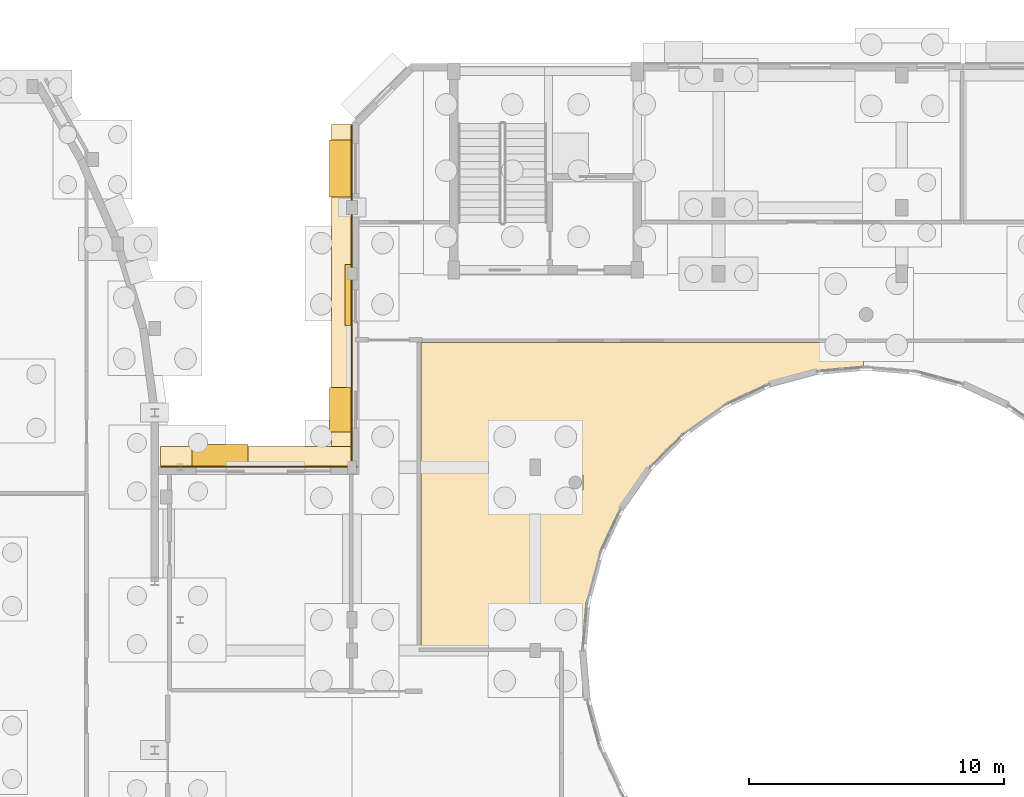
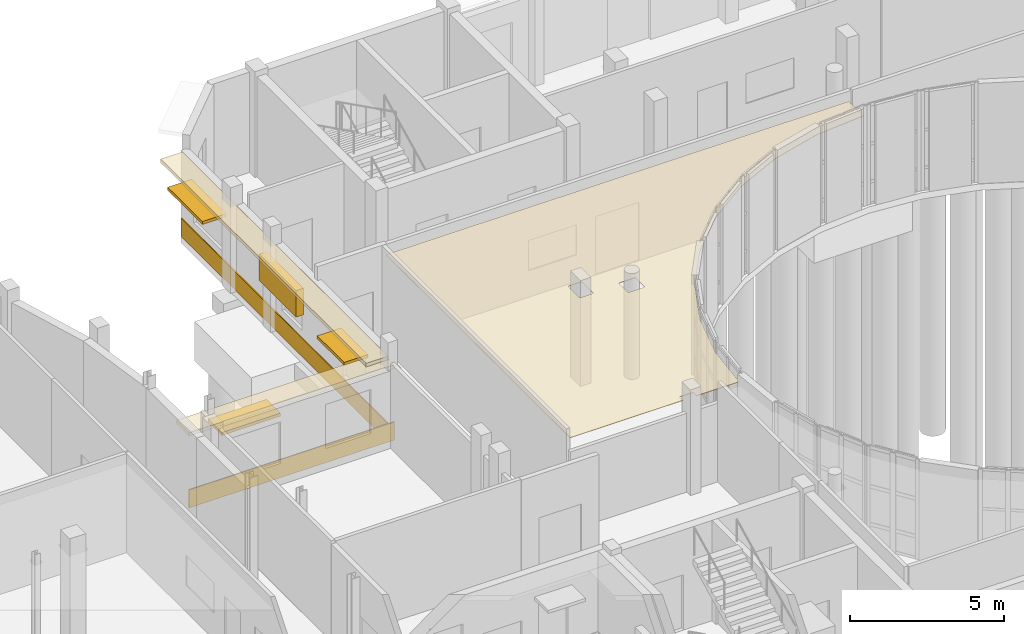
# One storey, part 85 of 93: 5 coverings, 4 shading devices.
"""IFC4 building model written with IfcOpenShell, lengths in metres."""

from ifc_helpers import new_model, si_unit, direction, frame, origin, origin_2d, place, context, subcontext, project, spatial, polyline, rectangle, outline, extrude, material, layer, layer_set, type_object, element, save


model = new_model("IFC4")

# Units and contexts
model_context = context("Model", 3, precision=1e-05, world=origin(), true_north=direction((0.0, 1.0)))
body_context = subcontext(model_context, "Body", "Model", "MODEL_VIEW")
ifc_project = project(units=[si_unit("LENGTHUNIT", "METRE"), si_unit("AREAUNIT", "SQUARE_METRE"), si_unit("VOLUMEUNIT", "CUBIC_METRE"), si_unit("PLANEANGLEUNIT", "RADIAN"), si_unit("MASSUNIT", "GRAM", prefix="KILO")], contexts=[model_context])

# Site, building, storey
site_placement = place(None, origin())
site = spatial("IfcSite", under=ifc_project, at=site_placement, CompositionType="ELEMENT")
building_placement = place(site_placement, origin())
building = spatial("IfcBuilding", under=site, at=building_placement, Name="Kelanivale Promenade Academy", CompositionType="ELEMENT")
storey_placement = place(building_placement, origin())
storey = spatial("IfcBuildingStorey", under=building, at=storey_placement, Name="L00", CompositionType="ELEMENT", Elevation=0.0)

# Coverings
ifc_material_1 = material(Name="Warm ivory Art Deco stucco frieze band 40 mm", Category="masonry")
ifc_layer_1 = layer(ifc_material_1, 0.0400390625)
ifc_layer_set_1 = layer_set([ifc_layer_1], Name="Warm ivory Art Deco stucco frieze band 40 mm")
covering_type_1 = type_object("IfcCoveringType", Name="COV-CLD2 Warm ivory Art Deco stucco frieze ba", PredefinedType="CLADDING", material=ifc_layer_set_1)
covering_1_placement = place(storey_placement, frame((42.800048828125, 70.76904296875, 3.26513671875), z_axis=(0.0, 0.0, 1.0), x_axis=(0.0, -1.0, 0.0)))
element("IfcCovering", 1, at=covering_1_placement, inside=storey, type_object=covering_type_1, Name="Art Deco projecting 820 mm streamline sunshade eyebrow ledge", PredefinedType="CLADDING", context=body_context, shape_type="SweptSolid", body=[
    extrude(rectangle(XDim=13.3779296875, YDim=0.820068359375, at=origin_2d()), origin(), (0.0, 0.0, 1.0), 0.139892578125),
])
covering_2_placement = place(storey_placement, frame((43.18505859375, 70.76904296875, 0.06005859375), z_axis=(0.0, 0.0, 1.0), x_axis=(0.0, -1.0, 0.0)))
element("IfcCovering", 2, at=covering_2_placement, inside=storey, type_object=covering_type_1, Name="Art Deco ivory stucco sill frieze band", PredefinedType="CLADDING", context=body_context, shape_type="SweptSolid", body=[
    extrude(rectangle(XDim=13.3779296875, YDim=0.0400390625, at=origin_2d()), origin(), (0.0, 0.0, 1.0), 0.719970703125),
])
covering_3_placement = place(storey_placement, frame((39.5400390625, 64.39990234375, 2.9150390625), z_axis=(0.0, 0.0, 1.0), x_axis=(-1.0, 0.0, 0.0)))
element("IfcCovering", 3, at=covering_3_placement, inside=storey, type_object=covering_type_1, Name="Art Deco projecting 820 mm streamline sunshade eyebrow ledge", PredefinedType="CLADDING", context=body_context, shape_type="SweptSolid", body=[
    extrude(rectangle(XDim=7.719970703125, YDim=0.820068359375, at=origin_2d()), origin(), (0.0, 0.0, 1.0), 0.139892578125),
])
covering_4_placement = place(storey_placement, frame((39.5400390625, 64.014892578125, 0.06005859375), z_axis=(0.0, 0.0, 1.0), x_axis=(-1.0, 0.0, 0.0)))
element("IfcCovering", 4, at=covering_4_placement, inside=storey, type_object=covering_type_1, Name="Art Deco ivory stucco sill frieze band", PredefinedType="CLADDING", context=body_context, shape_type="SweptSolid", body=[
    extrude(rectangle(XDim=7.719970703125, YDim=0.0400390625, at=origin_2d()), origin(), (0.0, 0.0, 1.0), 0.719970703125),
])
ifc_material_2 = material(Name="Acoustic mineral-fibre ceiling tile 25 mm", Category="gypsum")
ifc_layer_2 = layer(ifc_material_2, 0.02490234375)
ifc_layer_set_2 = layer_set([ifc_layer_2], Name="Acoustic mineral-fibre ceiling tile 25 mm")
covering_type_2 = type_object("IfcCoveringType", Name="COV-CLG1 Acoustic mineral-fibre ceiling tile ", PredefinedType="CEILING", material=ifc_layer_set_2)
covering_5_placement = place(storey_placement, frame((0.0, 0.0, 3.550048828125)))
element("IfcCovering", 5, at=covering_5_placement, inside=storey, type_object=covering_type_2, Name="Junior Classroom West B acoustic suspended ceiling", PredefinedType="CEILING", context=body_context, shape_type="SweptSolid", body=[
    extrude(outline(polyline([(45.909912109375, 56.909912109375), (50.139892578125, 56.909912109375), (50.139892578125, 57.094970703125), (50.139892578125, 57.09912109375), (50.14111328125, 57.10302734375), (50.14208984375, 57.10693359375), (50.14306640625, 57.110107421875), (50.14501953125, 57.114013671875), (50.14697265625, 57.116943359375), (50.14892578125, 57.1201171875), (50.152099609375, 57.123046875), (50.155029296875, 57.1259765625), (50.157958984375, 57.1279296875), (50.160888671875, 57.1298828125), (50.1650390625, 57.132080078125), (50.16796875, 57.133056640625), (50.172119140625, 57.134033203125), (50.176025390625, 57.135009765625), (50.179931640625, 57.135009765625), (50.6201171875, 57.135009765625), (50.6240234375, 57.135009765625), (50.6279296875, 57.134033203125), (50.632080078125, 57.133056640625), (50.635009765625, 57.132080078125), (50.638916015625, 57.1298828125), (50.64208984375, 57.1279296875), (50.64501953125, 57.1259765625), (50.64794921875, 57.123046875), (50.65087890625, 57.1201171875), (50.653076171875, 57.116943359375), (50.655029296875, 57.114013671875), (50.656982421875, 57.110107421875), (50.657958984375, 57.10693359375), (50.658935546875, 57.10302734375), (50.659912109375, 57.09912109375), (50.659912109375, 57.094970703125), (50.659912109375, 56.909912109375), (52.259033203125, 56.909912109375), (52.4169921875, 58.718994140625), (52.4169921875, 58.719970703125), (52.41796875, 58.72998046875), (52.419921875, 58.738037109375), (52.4208984375, 58.7451171875), (52.424072265625, 58.75390625), (52.9169921875, 60.596923828125), (52.9169921875, 60.59912109375), (52.919921875, 60.60888671875), (52.923095703125, 60.615966796875), (52.927001953125, 60.6259765625), (52.928955078125, 60.6298828125), (53.737060546875, 62.360107421875), (53.739013671875, 62.364990234375), (53.7490234375, 62.383056640625), (53.7529296875, 62.389892578125), (54.847900390625, 63.9541015625), (54.85400390625, 63.9609375), (54.861083984375, 63.968994140625), (54.867919921875, 63.97705078125), (54.87109375, 63.98095703125), (56.218994140625, 65.3291015625), (56.222900390625, 65.33203125), (56.23095703125, 65.339111328125), (56.239013671875, 65.345947265625), (56.24609375, 65.35205078125), (57.81005859375, 66.447021484375), (57.81689453125, 66.450927734375), (57.825927734375, 66.4560546875), (57.8349609375, 66.4609375), (57.840087890625, 66.462890625), (59.570068359375, 67.27099609375), (59.573974609375, 67.27294921875), (59.583984375, 67.277099609375), (59.591064453125, 67.280029296875), (59.60107421875, 67.282958984375), (59.60302734375, 67.282958984375), (61.446044921875, 67.77587890625), (61.455078125, 67.779052734375), (61.4619140625, 67.780029296875), (61.469970703125, 67.781982421875), (61.47998046875, 67.782958984375), (61.48095703125, 67.782958984375), (63.2900390625, 67.94091796875), (63.2900390625, 68.889892578125), (45.909912109375, 68.889892578125), (45.909912109375, 56.909912109375)]), holes=[polyline([(52.278076171875, 63.1298828125), (52.278076171875, 63.1259765625), (52.277099609375, 63.1220703125), (52.27587890625, 63.117919921875), (52.27490234375, 63.114990234375), (52.27294921875, 63.111083984375), (52.27099609375, 63.10791015625), (52.26904296875, 63.10498046875), (52.26611328125, 63.10205078125), (52.262939453125, 63.09912109375), (52.260009765625, 63.096923828125), (52.257080078125, 63.094970703125), (52.2529296875, 63.093017578125), (52.25, 63.092041015625), (52.24609375, 63.091064453125), (52.241943359375, 63.090087890625), (52.238037109375, 63.090087890625), (51.697998046875, 63.090087890625), (51.694091796875, 63.090087890625), (51.68994140625, 63.091064453125), (51.68603515625, 63.092041015625), (51.68310546875, 63.093017578125), (51.678955078125, 63.094970703125), (51.676025390625, 63.096923828125), (51.673095703125, 63.09912109375), (51.669921875, 63.10205078125), (51.6669921875, 63.10498046875), (51.6650390625, 63.10791015625), (51.6630859375, 63.111083984375), (51.660888671875, 63.114990234375), (51.659912109375, 63.117919921875), (51.658935546875, 63.1220703125), (51.657958984375, 63.1259765625), (51.657958984375, 63.1298828125), (51.657958984375, 63.669921875), (51.657958984375, 63.674072265625), (51.658935546875, 63.677978515625), (51.659912109375, 63.681884765625), (51.660888671875, 63.68505859375), (51.6630859375, 63.68896484375), (51.6650390625, 63.69189453125), (51.6669921875, 63.695068359375), (51.669921875, 63.697998046875), (51.673095703125, 63.700927734375), (51.676025390625, 63.702880859375), (51.678955078125, 63.705078125), (51.68310546875, 63.70703125), (51.68603515625, 63.7080078125), (51.68994140625, 63.708984375), (51.694091796875, 63.7099609375), (51.697998046875, 63.7099609375), (52.238037109375, 63.7099609375), (52.241943359375, 63.7099609375), (52.24609375, 63.708984375), (52.25, 63.7080078125), (52.2529296875, 63.70703125), (52.257080078125, 63.705078125), (52.260009765625, 63.702880859375), (52.262939453125, 63.700927734375), (52.26611328125, 63.697998046875), (52.26904296875, 63.695068359375), (52.27099609375, 63.69189453125), (52.27294921875, 63.68896484375), (52.27490234375, 63.68505859375), (52.27587890625, 63.681884765625), (52.277099609375, 63.677978515625), (52.278076171875, 63.674072265625), (52.278076171875, 63.669921875), (52.278076171875, 63.1298828125)]), polyline([(50.659912109375, 63.655029296875), (50.659912109375, 63.65087890625), (50.658935546875, 63.64697265625), (50.657958984375, 63.64306640625), (50.656982421875, 63.639892578125), (50.655029296875, 63.635986328125), (50.653076171875, 63.633056640625), (50.65087890625, 63.6298828125), (50.64794921875, 63.626953125), (50.64501953125, 63.6240234375), (50.64208984375, 63.6220703125), (50.638916015625, 63.6201171875), (50.635009765625, 63.617919921875), (50.632080078125, 63.616943359375), (50.6279296875, 63.615966796875), (50.6240234375, 63.614990234375), (50.6201171875, 63.614990234375), (50.179931640625, 63.614990234375), (50.176025390625, 63.614990234375), (50.172119140625, 63.615966796875), (50.16796875, 63.616943359375), (50.1650390625, 63.617919921875), (50.160888671875, 63.6201171875), (50.157958984375, 63.6220703125), (50.155029296875, 63.6240234375), (50.152099609375, 63.626953125), (50.14892578125, 63.6298828125), (50.14697265625, 63.633056640625), (50.14501953125, 63.635986328125), (50.14306640625, 63.639892578125), (50.14208984375, 63.64306640625), (50.14111328125, 63.64697265625), (50.139892578125, 63.65087890625), (50.139892578125, 63.655029296875), (50.139892578125, 64.344970703125), (50.139892578125, 64.34912109375), (50.14111328125, 64.35302734375), (50.14208984375, 64.35693359375), (50.14306640625, 64.360107421875), (50.14501953125, 64.364013671875), (50.14697265625, 64.366943359375), (50.14892578125, 64.3701171875), (50.152099609375, 64.373046875), (50.155029296875, 64.3759765625), (50.157958984375, 64.3779296875), (50.160888671875, 64.3798828125), (50.1650390625, 64.382080078125), (50.16796875, 64.383056640625), (50.172119140625, 64.384033203125), (50.176025390625, 64.385009765625), (50.179931640625, 64.385009765625), (50.6201171875, 64.385009765625), (50.6240234375, 64.385009765625), (50.6279296875, 64.384033203125), (50.632080078125, 64.383056640625), (50.635009765625, 64.382080078125), (50.638916015625, 64.3798828125), (50.64208984375, 64.3779296875), (50.64501953125, 64.3759765625), (50.64794921875, 64.373046875), (50.65087890625, 64.3701171875), (50.653076171875, 64.366943359375), (50.655029296875, 64.364013671875), (50.656982421875, 64.360107421875), (50.657958984375, 64.35693359375), (50.658935546875, 64.35302734375), (50.659912109375, 64.34912109375), (50.659912109375, 64.344970703125), (50.659912109375, 63.655029296875)])]), origin(), (0.0, 0.0, 1.0), 0.02490234375),
])

# Shading devices
ifc_material_3 = material(Name="Precast concrete C40/50", Category="concrete")
ifc_layer_3 = layer(ifc_material_3, 0.1201171875)
ifc_layer_set_3 = layer_set([ifc_layer_3], Name="Precast concrete C40/50")
shading_device_type_1 = type_object("IfcShadingDeviceType", Name="SHD-01 Art Deco Sunshade Eyebrow 900mm", PredefinedType="USERDEFINED", material=ifc_layer_set_3)
shading_device_1_placement = place(storey_placement, frame((42.760009765625, 75.73193359375, 2.56005859375), z_axis=(0.0, 0.0, 1.0), x_axis=(0.0, -1.0, 0.0)))
element("IfcShadingDevice", 6, at=shading_device_1_placement, inside=storey, type_object=shading_device_type_1, Name="Art Deco 900 mm precast chajja window sunshade", ObjectType="SUNSHADE", PredefinedType="USERDEFINED", context=body_context, shape_type="SweptSolid", body=[
    extrude(rectangle(XDim=2.25, YDim=0.89990234375, at=origin_2d()), origin(), (0.0, 0.0, 1.0), 0.1201171875),
])
shading_device_2_placement = place(storey_placement, frame((42.760009765625, 66.256103515625, 2.56005859375), z_axis=(0.0, 0.0, 1.0), x_axis=(0.0, -1.0, 0.0)))
element("IfcShadingDevice", 7, at=shading_device_2_placement, inside=storey, type_object=shading_device_type_1, Name="Art Deco 900 mm precast chajja window sunshade", ObjectType="SUNSHADE", PredefinedType="USERDEFINED", context=body_context, shape_type="SweptSolid", body=[
    extrude(rectangle(XDim=1.75, YDim=0.89990234375, at=origin_2d()), origin(), (0.0, 0.0, 1.0), 0.1201171875),
])
shading_device_3_placement = place(storey_placement, frame((38.02001953125, 64.43994140625, 2.510009765625), z_axis=(0.0, 0.0, 1.0), x_axis=(-1.0, 0.0, 0.0)))
element("IfcShadingDevice", 8, at=shading_device_3_placement, inside=storey, type_object=shading_device_type_1, Name="Art Deco 900 mm precast chajja window sunshade", ObjectType="SUNSHADE", PredefinedType="USERDEFINED", context=body_context, shape_type="SweptSolid", body=[
    extrude(rectangle(XDim=2.199951171875, YDim=0.89990234375, at=origin_2d()), origin(), (0.0, 0.0, 1.0), 0.1201171875),
])
ifc_material_4 = material(Name="Bronze anodised aluminium EN AW-6063 T6", Category="aluminium")
ifc_layer_4 = layer(ifc_material_4, 0.080078125)
ifc_layer_set_4 = layer_set([ifc_layer_4], Name="Bronze anodised aluminium EN AW-6063 T6")
shading_device_type_2 = type_object("IfcShadingDeviceType", Name="SHD-02 Perforated Brise-Soleil Screen", PredefinedType="JALOUSIE", material=ifc_layer_set_4)
shading_device_4_placement = place(storey_placement, frame((43.06494140625, 70.76904296875, 1.72509765625), z_axis=(0.0, 0.0, 1.0), x_axis=(0.0, -1.0, 0.0)))
element("IfcShadingDevice", 9, at=shading_device_4_placement, inside=storey, type_object=shading_device_type_2, Name="Perforated Art Deco brise-soleil louvre screen", PredefinedType="JALOUSIE", context=body_context, shape_type="SweptSolid", body=[
    extrude(rectangle(XDim=2.39990234375, YDim=0.280029296875, at=origin_2d()), origin(), (0.0, 0.0, 1.0), 1.050048828125),
])

save(model, "model.ifc")
